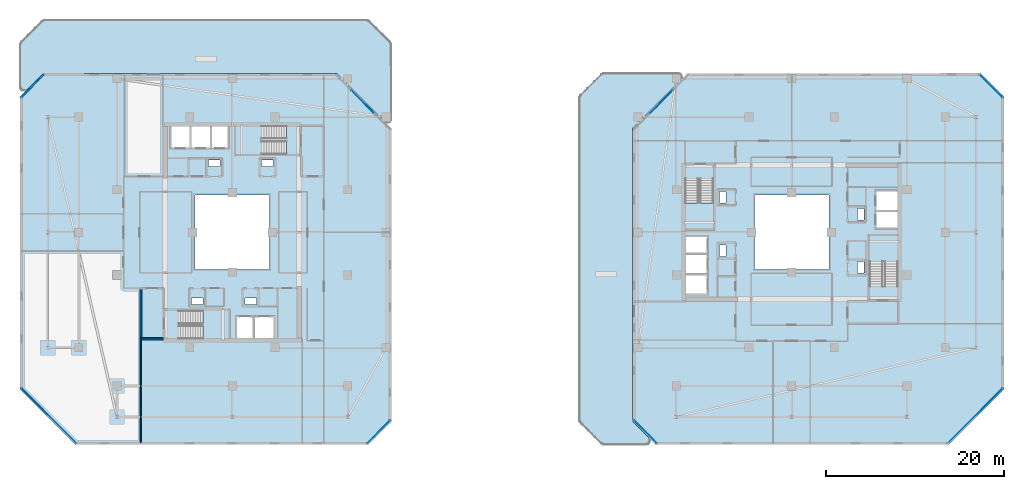
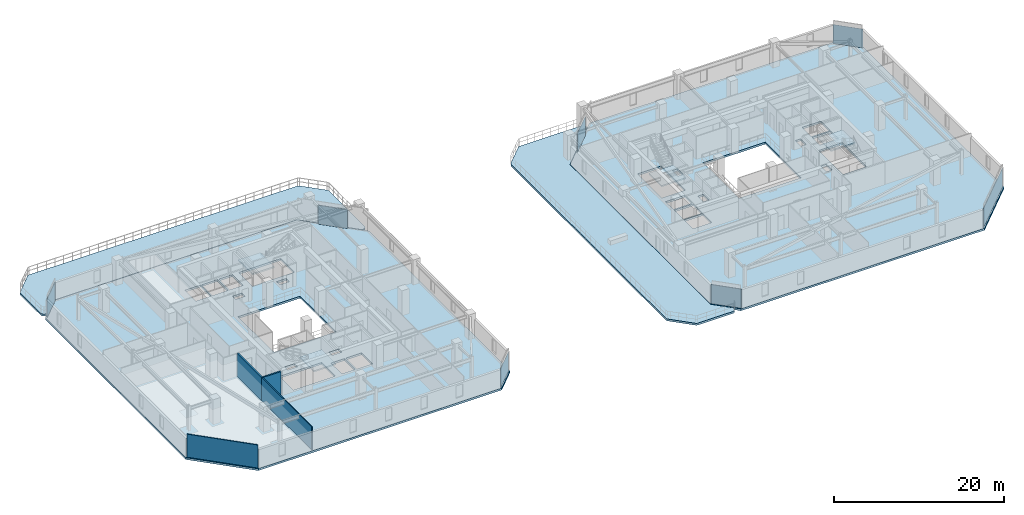
# One storey, part 17 of 29: 8 plates, 8 slabs, 4 walls, 12 elements without a shape of their own.
"""IFC4 building model written with IfcOpenShell, lengths in metres."""

from ifc_helpers import new_model, si_unit, direction, frame, frame_2d, origin, origin_2d, place, context, subcontext, project, spatial, polyline, rectangle, outline, extrude, material, layer, layer_set, type_object, element, aggregate, save


model = new_model("IFC4")

# Units and contexts
model_context = context("Model", 3, precision=1e-05, world=origin(), true_north=direction((0.0, 1.0)))
body_context = subcontext(model_context, "Body", "Model", "MODEL_VIEW")
ifc_project = project(units=[si_unit("LENGTHUNIT", "METRE"), si_unit("AREAUNIT", "SQUARE_METRE"), si_unit("VOLUMEUNIT", "CUBIC_METRE"), si_unit("PLANEANGLEUNIT", "RADIAN"), si_unit("MASSUNIT", "GRAM", prefix="KILO")], contexts=[model_context])

# Site, building, storey
site_placement = place(None, origin())
site = spatial("IfcSite", under=ifc_project, at=site_placement, CompositionType="ELEMENT")
building_placement = place(site_placement, origin())
building = spatial("IfcBuilding", under=site, at=building_placement, Name="Thornwick Lancets Civic Towers", CompositionType="ELEMENT")
storey_placement = place(building_placement, frame((0.0, 0.0, 229.5)))
storey = spatial("IfcBuildingStorey", under=building, at=storey_placement, Name="L61", CompositionType="ELEMENT", Elevation=229.5)

# Curtain wall, plate
ifc_material_1 = material(Name="High-zone chamfered-corner unitised glass curtain wall", Category="glass")
curtain_wall_type = type_object("IfcCurtainWallType", Name="CW_SYS_05", PredefinedType="NOTDEFINED", material=ifc_material_1)
curtain_wall_1_placement = place(storey_placement, origin())
curtain_wall_1 = element("IfcCurtainWall", 1, at=curtain_wall_1_placement, inside=storey, type_object=curtain_wall_type, Name="L61 Curtain Wall CW-L61-A-E1", PredefinedType="NOTDEFINED")
ifc_material_2 = material(Name="Low-e double glazing clear glass", Category="glass")
ifc_layer_1 = layer(ifc_material_2, 0.035888671875, Name="Low-e double glazing clear glass")
ifc_layer_set_1 = layer_set([ifc_layer_1], Name="Low-e double glazing clear glass")
plate_type = type_object("IfcPlateType", Name="CW_PNL_GLASS", PredefinedType="CURTAIN_PANEL", material=ifc_layer_set_1)
plate_1_placement = place(storey_placement, frame((41.972900390625, 4.527099609375, 0.0), z_axis=(0.0, 0.0, 1.0), x_axis=(0.707106781187, 0.707106781187, 0.0)))
plate_1 = element("IfcPlate", 2, at=plate_1_placement, type_object=plate_type, Name="CW-L61-A-E1 Panel 0", PredefinedType="CURTAIN_PANEL", context=body_context, shape_type="SweptSolid", body=[
    extrude(rectangle(XDim=3.649169921875, YDim=0.035888671875, at=origin_2d()), origin(), (0.0, 0.0, 1.0), 2.699951171875),
])
aggregate(curtain_wall_1, [plate_1])

curtain_wall_2_placement = place(storey_placement, origin())
curtain_wall_2 = element("IfcCurtainWall", 3, at=curtain_wall_2_placement, inside=storey, type_object=curtain_wall_type, Name="L61 Curtain Wall CW-L61-A-E3", PredefinedType="NOTDEFINED")
plate_2_placement = place(storey_placement, frame((40.174560546875, 41.674560546875, 0.0), z_axis=(0.0, 0.0, 1.0), x_axis=(-0.707106781187, 0.707106781187, 0.0)))
plate_2 = element("IfcPlate", 4, at=plate_2_placement, type_object=plate_type, Name="CW-L61-A-E3 Panel 0", PredefinedType="CURTAIN_PANEL", context=body_context, shape_type="SweptSolid", body=[
    extrude(rectangle(XDim=3.5771484375, YDim=0.035888671875, at=origin_2d()), origin(), (0.0, 0.0, 1.0), 2.699951171875),
])
aggregate(curtain_wall_2, [plate_2])

curtain_wall_3_placement = place(storey_placement, origin())
curtain_wall_3 = element("IfcCurtainWall", 5, at=curtain_wall_3_placement, inside=storey, type_object=curtain_wall_type, Name="L61 Curtain Wall CW-L61-A-E5", PredefinedType="NOTDEFINED")
plate_3_placement = place(storey_placement, frame((3.027099609375, 43.472900390625, 0.0), z_axis=(0.0, 0.0, 1.0), x_axis=(-0.707106781187, -0.707106781187, 0.0)))
plate_3 = element("IfcPlate", 6, at=plate_3_placement, type_object=plate_type, Name="CW-L61-A-E5 Panel 0", PredefinedType="CURTAIN_PANEL", context=body_context, shape_type="SweptSolid", body=[
    extrude(rectangle(XDim=3.649169921875, YDim=0.035888671875, at=origin_2d()), origin(), (0.0, 0.0, 1.0), 2.699951171875),
])
aggregate(curtain_wall_3, [plate_3])

curtain_wall_4_placement = place(storey_placement, origin())
curtain_wall_4 = element("IfcCurtainWall", 7, at=curtain_wall_4_placement, inside=storey, type_object=curtain_wall_type, Name="L61 Curtain Wall CW-L61-A-E7", PredefinedType="NOTDEFINED")
plate_4_placement = place(storey_placement, frame((4.825439453125, 6.325439453125, 0.0), z_axis=(0.0, 0.0, 1.0), x_axis=(0.707106781187, -0.707106781187, 0.0)))
plate_4 = element("IfcPlate", 8, at=plate_4_placement, type_object=plate_type, Name="CW-L61-A-E7 Panel 0", PredefinedType="CURTAIN_PANEL", context=body_context, shape_type="SweptSolid", body=[
    extrude(rectangle(XDim=8.702392578125, YDim=0.035888671875, at=origin_2d()), origin(), (0.0, 0.0, 1.0), 2.699951171875),
])
aggregate(curtain_wall_4, [plate_4])

curtain_wall_5_placement = place(storey_placement, origin())
curtain_wall_5 = element("IfcCurtainWall", 9, at=curtain_wall_5_placement, inside=storey, type_object=curtain_wall_type, Name="L61 Curtain Wall CW-L61-B-E1", PredefinedType="NOTDEFINED")
plate_5_placement = place(storey_placement, frame((109.174560546875, 6.325439453125, 0.0), z_axis=(0.0, 0.0, 1.0), x_axis=(0.707106781187, 0.707106781187, 0.0)))
plate_5 = element("IfcPlate", 10, at=plate_5_placement, type_object=plate_type, Name="CW-L61-B-E1 Panel 0", PredefinedType="CURTAIN_PANEL", context=body_context, shape_type="SweptSolid", body=[
    extrude(rectangle(XDim=8.702392578125, YDim=0.035888671875, at=origin_2d()), origin(), (0.0, 0.0, 1.0), 2.699951171875),
])
aggregate(curtain_wall_5, [plate_5])

curtain_wall_6_placement = place(storey_placement, origin())
curtain_wall_6 = element("IfcCurtainWall", 11, at=curtain_wall_6_placement, inside=storey, type_object=curtain_wall_type, Name="L61 Curtain Wall CW-L61-B-E3", PredefinedType="NOTDEFINED")
plate_6_placement = place(storey_placement, frame((110.972900390625, 43.472900390625, 0.0), z_axis=(0.0, 0.0, 1.0), x_axis=(-0.707106781187, 0.707106781187, 0.0)))
plate_6 = element("IfcPlate", 12, at=plate_6_placement, type_object=plate_type, Name="CW-L61-B-E3 Panel 0", PredefinedType="CURTAIN_PANEL", context=body_context, shape_type="SweptSolid", body=[
    extrude(rectangle(XDim=3.649169921875, YDim=0.035888671875, at=origin_2d()), origin(), (0.0, 0.0, 1.0), 2.699951171875),
])
aggregate(curtain_wall_6, [plate_6])

curtain_wall_7_placement = place(storey_placement, origin())
curtain_wall_7 = element("IfcCurtainWall", 13, at=curtain_wall_7_placement, inside=storey, type_object=curtain_wall_type, Name="L61 Curtain Wall CW-L61-B-E5", PredefinedType="NOTDEFINED")
plate_7_placement = place(storey_placement, frame((73.825439453125, 41.674560546875, 0.0), z_axis=(0.0, 0.0, 1.0), x_axis=(-0.707106781187, -0.707106781187, 0.0)))
plate_7 = element("IfcPlate", 14, at=plate_7_placement, type_object=plate_type, Name="CW-L61-B-E5 Panel 0", PredefinedType="CURTAIN_PANEL", context=body_context, shape_type="SweptSolid", body=[
    extrude(rectangle(XDim=3.5771484375, YDim=0.035888671875, at=origin_2d()), origin(), (0.0, 0.0, 1.0), 2.699951171875),
])
aggregate(curtain_wall_7, [plate_7])

curtain_wall_8_placement = place(storey_placement, origin())
curtain_wall_8 = element("IfcCurtainWall", 15, at=curtain_wall_8_placement, inside=storey, type_object=curtain_wall_type, Name="L61 Curtain Wall CW-L61-B-E7", PredefinedType="NOTDEFINED")
plate_8_placement = place(storey_placement, frame((72.027099609375, 4.527099609375, 0.0), z_axis=(0.0, 0.0, 1.0), x_axis=(0.707106781187, -0.707106781187, 0.0)))
plate_8 = element("IfcPlate", 16, at=plate_8_placement, type_object=plate_type, Name="CW-L61-B-E7 Panel 0", PredefinedType="CURTAIN_PANEL", context=body_context, shape_type="SweptSolid", body=[
    extrude(rectangle(XDim=3.649169921875, YDim=0.035888671875, at=origin_2d()), origin(), (0.0, 0.0, 1.0), 2.699951171875),
])
aggregate(curtain_wall_8, [plate_8])

# Stair, slab
ifc_material_3 = material(Name="Concrete C40/50", Category="concrete")
stair_type = type_object("IfcStairType", Name="STAIR_DL_3600", PredefinedType="HALF_TURN_STAIR", material=ifc_material_3)
stair_1_placement = place(storey_placement, origin())
stair_1 = element("IfcStair", 17, at=stair_1_placement, inside=storey, type_object=stair_type, Name="L61 Tower A South Exit Stair ST-A1", PredefinedType="HALF_TURN_STAIR")
ifc_layer_2 = layer(ifc_material_3, 0.25, Name="Concrete C40/50")
ifc_layer_set_2 = layer_set([ifc_layer_2], Name="Concrete C40/50")
slab_type_1 = type_object("IfcSlabType", Name="SLAB_LANDING_200", PredefinedType="LANDING", material=ifc_layer_set_2)
slab_1_placement = place(storey_placement, frame((0.0, 0.0, 1.60302734375)))
slab_1 = element("IfcSlab", 18, at=slab_1_placement, type_object=slab_type_1, Name="ST-A1 landing 1", PredefinedType="LANDING", context=body_context, shape_type="SweptSolid", body=[
    extrude(outline(polyline([(22.169921875, 14.93994140625), (25.14990234375, 14.93994140625), (25.14990234375, 18.260009765625), (22.169921875, 18.260009765625), (22.169921875, 14.93994140625)])), origin(), (0.0, 0.0, 1.0), 0.199951171875),
])
aggregate(stair_1, [slab_1])

stair_2_placement = place(storey_placement, origin())
stair_2 = element("IfcStair", 19, at=stair_2_placement, inside=storey, type_object=stair_type, Name="L61 Tower A North Exit Stair ST-A2", PredefinedType="HALF_TURN_STAIR")
slab_2_placement = place(storey_placement, frame((0.0, 0.0, 1.60302734375)))
slab_2 = element("IfcSlab", 20, at=slab_2_placement, type_object=slab_type_1, Name="ST-A2 landing 1", PredefinedType="LANDING", context=body_context, shape_type="SweptSolid", body=[
    extrude(outline(polyline([(28.830078125, 39.06005859375), (25.85009765625, 39.06005859375), (25.85009765625, 35.739990234375), (28.830078125, 35.739990234375), (28.830078125, 39.06005859375)])), origin(), (0.0, 0.0, 1.0), 0.199951171875),
])
aggregate(stair_2, [slab_2])

stair_3_placement = place(storey_placement, origin())
stair_3 = element("IfcStair", 21, at=stair_3_placement, inside=storey, type_object=stair_type, Name="L61 Tower B East Exit Stair ST-B1", PredefinedType="HALF_TURN_STAIR")
slab_3_placement = place(storey_placement, frame((0.0, 0.0, 1.60302734375)))
slab_3 = element("IfcSlab", 22, at=slab_3_placement, type_object=slab_type_1, Name="ST-B1 landing 1", PredefinedType="LANDING", context=body_context, shape_type="SweptSolid", body=[
    extrude(outline(polyline([(100.56005859375, 23.669921875), (100.56005859375, 26.64990234375), (97.239990234375, 26.64990234375), (97.239990234375, 23.669921875), (100.56005859375, 23.669921875)])), origin(), (0.0, 0.0, 1.0), 0.199951171875),
])
aggregate(stair_3, [slab_3])

stair_4_placement = place(storey_placement, origin())
stair_4 = element("IfcStair", 23, at=stair_4_placement, inside=storey, type_object=stair_type, Name="L61 Tower B West Exit Stair ST-B2", PredefinedType="HALF_TURN_STAIR")
slab_4_placement = place(storey_placement, frame((0.0, 0.0, 1.60302734375)))
slab_4 = element("IfcSlab", 24, at=slab_4_placement, type_object=slab_type_1, Name="ST-B2 landing 1", PredefinedType="LANDING", context=body_context, shape_type="SweptSolid", body=[
    extrude(outline(polyline([(76.43994140625, 30.330078125), (76.43994140625, 27.35009765625), (79.760009765625, 27.35009765625), (79.760009765625, 30.330078125), (76.43994140625, 30.330078125)])), origin(), (0.0, 0.0, 1.0), 0.199951171875),
])
aggregate(stair_4, [slab_4])

# Slabs
ifc_material_4 = material(Name="Post-tensioned concrete C40/50", Category="concrete")
ifc_layer_3 = layer(ifc_material_4, 0.280029296875, Name="Post-tensioned concrete C40/50")
ifc_layer_set_3 = layer_set([ifc_layer_3], Name="Post-tensioned concrete C40/50")
slab_type_2 = type_object("IfcSlabType", Name="SLAB_PT_280", PredefinedType="FLOOR", material=ifc_layer_set_3)
slab_5_placement = place(storey_placement, frame((0.0, 0.0, -0.280029296875)))
element("IfcSlab", 25, at=slab_5_placement, inside=storey, type_object=slab_type_2, Name="L61 Tower A Floor Slab", PredefinedType="FLOOR", context=body_context, shape_type="SweptSolid", body=[
    extrude(outline(polyline([(7.800048828125, 3.10009765625), (40.800048828125, 3.10009765625), (43.39990234375, 5.699951171875), (43.39990234375, 38.699951171875), (37.199951171875, 44.89990234375), (4.199951171875, 44.89990234375), (1.60009765625, 42.300048828125), (1.60009765625, 9.300048828125), (7.800048828125, 3.10009765625)]), holes=[polyline([(21.300048828125, 22.800048828125), (29.699951171875, 22.800048828125), (29.699951171875, 31.199951171875), (21.300048828125, 31.199951171875), (21.300048828125, 22.800048828125)]), polyline([(19.429931640625, 15.0), (25.10009765625, 15.0), (25.10009765625, 18.199951171875), (19.429931640625, 18.199951171875), (19.429931640625, 15.0)]), polyline([(31.570068359375, 39.0), (25.89990234375, 39.0), (25.89990234375, 35.800048828125), (31.570068359375, 35.800048828125), (31.570068359375, 39.0)]), polyline([(26.0, 15.0), (27.800048828125, 15.0), (27.800048828125, 17.550048828125), (26.0, 17.550048828125), (26.0, 15.0)]), polyline([(28.0, 15.0), (30.14990234375, 15.0), (30.14990234375, 17.550048828125), (28.0, 17.550048828125), (28.0, 15.0)]), polyline([(23.199951171875, 36.449951171875), (25.0, 36.449951171875), (25.0, 39.0), (23.199951171875, 39.0), (23.199951171875, 36.449951171875)]), polyline([(20.85009765625, 36.449951171875), (23.0, 36.449951171875), (23.0, 39.0), (20.85009765625, 39.0), (20.85009765625, 36.449951171875)]), polyline([(18.60009765625, 36.449951171875), (20.699951171875, 36.449951171875), (20.699951171875, 39.0), (18.60009765625, 39.0), (18.60009765625, 36.449951171875)]), polyline([(26.89990234375, 18.85009765625), (28.199951171875, 18.85009765625), (28.199951171875, 19.580078125), (26.89990234375, 19.580078125), (26.89990234375, 18.85009765625)]), polyline([(20.89990234375, 18.85009765625), (22.199951171875, 18.85009765625), (22.199951171875, 19.580078125), (20.89990234375, 19.580078125), (20.89990234375, 18.85009765625)]), polyline([(22.800048828125, 34.419921875), (24.10009765625, 34.419921875), (24.10009765625, 35.14990234375), (22.800048828125, 35.14990234375), (22.800048828125, 34.419921875)]), polyline([(28.800048828125, 34.419921875), (30.10009765625, 34.419921875), (30.10009765625, 35.14990234375), (28.800048828125, 35.14990234375), (28.800048828125, 34.419921875)])]), origin(), (0.0, 0.0, 1.0), 0.280029296875),
])
slab_6_placement = place(storey_placement, frame((0.0, 0.0, -0.280029296875)))
element("IfcSlab", 26, at=slab_6_placement, inside=storey, type_object=slab_type_2, Name="L61 Tower A Cantilevered Block Sky-Garden Terrace 1", PredefinedType="FLOOR", context=body_context, shape_type="SweptSolid", body=[
    extrude(outline(polyline([(1.602294921875, 48.15771484375), (1.608642578125, 48.201416015625), (1.619384765625, 48.244140625), (1.63427734375, 48.285888671875), (1.653076171875, 48.32568359375), (1.67578125, 48.363525390625), (1.7021484375, 48.399169921875), (1.731689453125, 48.431884765625), (4.068115234375, 50.768310546875), (4.100830078125, 50.7978515625), (4.136474609375, 50.82421875), (4.17431640625, 50.846923828125), (4.214111328125, 50.86572265625), (4.255859375, 50.880615234375), (4.298583984375, 50.891357421875), (4.34228515625, 50.897705078125), (4.386474609375, 50.89990234375), (40.613525390625, 50.89990234375), (40.65771484375, 50.897705078125), (40.701416015625, 50.891357421875), (40.744140625, 50.880615234375), (40.785888671875, 50.86572265625), (40.82568359375, 50.846923828125), (40.863525390625, 50.82421875), (40.899169921875, 50.7978515625), (40.931884765625, 50.768310546875), (43.268310546875, 48.431884765625), (43.2978515625, 48.399169921875), (43.32421875, 48.363525390625), (43.346923828125, 48.32568359375), (43.36572265625, 48.285888671875), (43.380615234375, 48.244140625), (43.391357421875, 48.201416015625), (43.397705078125, 48.15771484375), (43.39990234375, 48.113525390625), (43.39990234375, 39.814697265625), (43.397705078125, 39.7705078125), (43.391357421875, 39.726806640625), (43.380615234375, 39.68408203125), (43.36572265625, 39.642578125), (43.346923828125, 39.6025390625), (43.32421875, 39.564697265625), (43.2978515625, 39.529296875), (43.268310546875, 39.49658203125), (43.235595703125, 39.466796875), (43.199951171875, 39.4404296875), (43.162109375, 39.417724609375), (43.122314453125, 39.39892578125), (43.08056640625, 39.384033203125), (43.037841796875, 39.373291015625), (42.994140625, 39.36669921875), (42.949951171875, 39.36474609375), (42.906005859375, 39.36669921875), (42.8623046875, 39.373291015625), (42.8193359375, 39.384033203125), (42.77783203125, 39.39892578125), (42.73779296875, 39.417724609375), (42.699951171875, 39.4404296875), (42.66455078125, 39.466796875), (42.6318359375, 39.49658203125), (37.218017578125, 44.91015625), (37.214111328125, 44.9140625), (37.212646484375, 44.91552734375), (37.211181640625, 44.91650390625), (37.20947265625, 44.91748046875), (37.207763671875, 44.91845703125), (37.205810546875, 44.919189453125), (37.203857421875, 44.919677734375), (37.201904296875, 44.919921875), (37.199951171875, 44.919921875), (37.194091796875, 44.919921875), (4.20556640625, 44.919921875), (4.199951171875, 44.919921875), (4.197998046875, 44.919921875), (4.196044921875, 44.919677734375), (4.194091796875, 44.919189453125), (4.1923828125, 44.91845703125), (4.190673828125, 44.91748046875), (4.18896484375, 44.91650390625), (4.187255859375, 44.91552734375), (4.185791015625, 44.9140625), (4.181640625, 44.909912109375), (2.3681640625, 43.096435546875), (2.33544921875, 43.06689453125), (2.300048828125, 43.04052734375), (2.26220703125, 43.017822265625), (2.22216796875, 42.998779296875), (2.1806640625, 42.984130859375), (2.1376953125, 42.973388671875), (2.093994140625, 42.966796875), (2.050048828125, 42.964599609375), (2.005859375, 42.966796875), (1.962158203125, 42.973388671875), (1.91943359375, 42.984130859375), (1.877685546875, 42.998779296875), (1.837890625, 43.017822265625), (1.800048828125, 43.04052734375), (1.764404296875, 43.06689453125), (1.731689453125, 43.096435546875), (1.7021484375, 43.129150390625), (1.67578125, 43.164794921875), (1.653076171875, 43.20263671875), (1.63427734375, 43.242431640625), (1.619384765625, 43.2841796875), (1.608642578125, 43.326904296875), (1.602294921875, 43.37060546875), (1.60009765625, 43.414794921875), (1.60009765625, 48.113525390625), (1.602294921875, 48.15771484375)])), origin(), (0.0, 0.0, 1.0), 0.280029296875),
])
slab_7_placement = place(storey_placement, frame((0.0, 0.0, -0.280029296875)))
element("IfcSlab", 27, at=slab_7_placement, inside=storey, type_object=slab_type_2, Name="L61 Tower B Floor Slab", PredefinedType="FLOOR", context=body_context, shape_type="SweptSolid", body=[
    extrude(outline(polyline([(73.199951171875, 3.10009765625), (106.199951171875, 3.10009765625), (112.39990234375, 9.300048828125), (112.39990234375, 42.300048828125), (109.800048828125, 44.89990234375), (76.800048828125, 44.89990234375), (70.60009765625, 38.699951171875), (70.60009765625, 5.699951171875), (73.199951171875, 3.10009765625)]), holes=[polyline([(84.300048828125, 22.800048828125), (92.699951171875, 22.800048828125), (92.699951171875, 31.199951171875), (84.300048828125, 31.199951171875), (84.300048828125, 22.800048828125)]), polyline([(100.5, 20.929931640625), (100.5, 26.60009765625), (97.300048828125, 26.60009765625), (97.300048828125, 20.929931640625), (100.5, 20.929931640625)]), polyline([(76.5, 33.070068359375), (76.5, 27.39990234375), (79.699951171875, 27.39990234375), (79.699951171875, 33.070068359375), (76.5, 33.070068359375)]), polyline([(97.949951171875, 27.5), (100.5, 27.5), (100.5, 29.300048828125), (97.949951171875, 29.300048828125), (97.949951171875, 27.5)]), polyline([(97.949951171875, 29.5), (100.5, 29.5), (100.5, 31.64990234375), (97.949951171875, 31.64990234375), (97.949951171875, 29.5)]), polyline([(76.5, 24.699951171875), (79.050048828125, 24.699951171875), (79.050048828125, 26.5), (76.5, 26.5), (76.5, 24.699951171875)]), polyline([(76.5, 22.35009765625), (79.050048828125, 22.35009765625), (79.050048828125, 24.5), (76.5, 24.5), (76.5, 22.35009765625)]), polyline([(76.5, 20.10009765625), (79.050048828125, 20.10009765625), (79.050048828125, 22.199951171875), (76.5, 22.199951171875), (76.5, 20.10009765625)]), polyline([(95.919921875, 28.39990234375), (96.64990234375, 28.39990234375), (96.64990234375, 29.699951171875), (95.919921875, 29.699951171875), (95.919921875, 28.39990234375)]), polyline([(95.919921875, 22.39990234375), (96.64990234375, 22.39990234375), (96.64990234375, 23.699951171875), (95.919921875, 23.699951171875), (95.919921875, 22.39990234375)]), polyline([(80.35009765625, 24.300048828125), (81.080078125, 24.300048828125), (81.080078125, 25.60009765625), (80.35009765625, 25.60009765625), (80.35009765625, 24.300048828125)]), polyline([(80.35009765625, 30.300048828125), (81.080078125, 30.300048828125), (81.080078125, 31.60009765625), (80.35009765625, 31.60009765625), (80.35009765625, 30.300048828125)])]), origin(), (0.0, 0.0, 1.0), 0.280029296875),
])
slab_8_placement = place(storey_placement, frame((0.0, 0.0, -0.280029296875)))
element("IfcSlab", 28, at=slab_8_placement, inside=storey, type_object=slab_type_2, Name="L61 Tower B Cantilevered Block Sky-Garden Terrace 1", PredefinedType="FLOOR", context=body_context, shape_type="SweptSolid", body=[
    extrude(outline(polyline([(67.34228515625, 3.102294921875), (67.298583984375, 3.108642578125), (67.255859375, 3.119384765625), (67.214111328125, 3.13427734375), (67.17431640625, 3.153076171875), (67.136474609375, 3.17578125), (67.100830078125, 3.2021484375), (67.068115234375, 3.231689453125), (64.906005859375, 5.39404296875), (64.731689453125, 5.568115234375), (64.7021484375, 5.600830078125), (64.67578125, 5.636474609375), (64.653076171875, 5.67431640625), (64.63427734375, 5.714111328125), (64.619384765625, 5.755859375), (64.608642578125, 5.798583984375), (64.602294921875, 5.84228515625), (64.60009765625, 5.886474609375), (64.60009765625, 42.113525390625), (64.602294921875, 42.15771484375), (64.608642578125, 42.201416015625), (64.619384765625, 42.244140625), (64.63427734375, 42.285888671875), (64.653076171875, 42.32568359375), (64.67578125, 42.363525390625), (64.7021484375, 42.399169921875), (64.731689453125, 42.431884765625), (67.068115234375, 44.768310546875), (67.100830078125, 44.7978515625), (67.136474609375, 44.82421875), (67.17431640625, 44.846923828125), (67.214111328125, 44.86572265625), (67.255859375, 44.880615234375), (67.298583984375, 44.891357421875), (67.34228515625, 44.897705078125), (67.386474609375, 44.89990234375), (75.685302734375, 44.89990234375), (75.7294921875, 44.897705078125), (75.773193359375, 44.891357421875), (75.81591796875, 44.880615234375), (75.857421875, 44.86572265625), (75.8974609375, 44.846923828125), (75.935302734375, 44.82421875), (75.970703125, 44.7978515625), (76.00341796875, 44.768310546875), (76.033203125, 44.735595703125), (76.0595703125, 44.699951171875), (76.082275390625, 44.662109375), (76.10107421875, 44.622314453125), (76.115966796875, 44.58056640625), (76.126708984375, 44.537841796875), (76.13330078125, 44.494140625), (76.13525390625, 44.449951171875), (76.13330078125, 44.406005859375), (76.126708984375, 44.3623046875), (76.115966796875, 44.3193359375), (76.10107421875, 44.27783203125), (76.082275390625, 44.23779296875), (76.0595703125, 44.199951171875), (76.033203125, 44.16455078125), (76.00341796875, 44.1318359375), (70.58984375, 38.718017578125), (70.5859375, 38.714111328125), (70.58447265625, 38.712646484375), (70.58349609375, 38.711181640625), (70.58251953125, 38.70947265625), (70.58154296875, 38.707763671875), (70.580810546875, 38.705810546875), (70.580322265625, 38.703857421875), (70.580078125, 38.701904296875), (70.580078125, 38.699951171875), (70.580078125, 38.694091796875), (70.580078125, 5.70556640625), (70.580078125, 5.699951171875), (70.580078125, 5.697998046875), (70.580322265625, 5.696044921875), (70.580810546875, 5.694091796875), (70.58154296875, 5.6923828125), (70.58251953125, 5.690673828125), (70.58349609375, 5.68896484375), (70.58447265625, 5.687255859375), (70.5859375, 5.685791015625), (70.590087890625, 5.681640625), (70.590087890625, 5.681640625), (71.267578125, 5.004150390625), (72.403564453125, 3.8681640625), (72.43310546875, 3.83544921875), (72.45947265625, 3.800048828125), (72.482177734375, 3.76220703125), (72.501220703125, 3.72216796875), (72.515869140625, 3.6806640625), (72.526611328125, 3.6376953125), (72.533203125, 3.593994140625), (72.535400390625, 3.550048828125), (72.533203125, 3.505859375), (72.526611328125, 3.462158203125), (72.515869140625, 3.41943359375), (72.501220703125, 3.377685546875), (72.482177734375, 3.337890625), (72.45947265625, 3.300048828125), (72.43310546875, 3.264404296875), (72.403564453125, 3.231689453125), (72.370849609375, 3.2021484375), (72.335205078125, 3.17578125), (72.29736328125, 3.153076171875), (72.257568359375, 3.13427734375), (72.2158203125, 3.119384765625), (72.173095703125, 3.108642578125), (72.12939453125, 3.102294921875), (72.085205078125, 3.10009765625), (67.386474609375, 3.10009765625), (67.34228515625, 3.102294921875)])), origin(), (0.0, 0.0, 1.0), 0.280029296875),
])

# Walls
ifc_material_5 = material(Name="Concrete blockwork C40/50", Category="masonry")
ifc_layer_4 = layer(ifc_material_5, 0.199951171875, Name="Concrete blockwork C40/50")
ifc_layer_set_4 = layer_set([ifc_layer_4], Name="Concrete blockwork C40/50")
wall_type_1 = type_object("IfcWallType", Name="WALL_COMP_200", PredefinedType="STANDARD", material=ifc_layer_set_4)
wall_1_placement = place(storey_placement, frame((15.199951171875, 15.0, 0.0), z_axis=(0.0, 0.0, 1.0), x_axis=(1.0, 0.0, 0.0)))
element("IfcWall", 29, at=wall_1_placement, inside=storey, type_object=wall_type_1, Name="L61 Partition L61-A-FFLOB1 E1", PredefinedType="STANDARD", context=body_context, shape_type="SweptSolid", body=[
    extrude(rectangle(XDim=2.5, YDim=0.199951171875, at=frame_2d((1.25, 0.0))), origin(), (0.0, 0.0, 1.0), 3.300048828125),
])
wall_2_placement = place(storey_placement, frame((15.199951171875, 20.699951171875, 0.0), z_axis=(0.0, 0.0, 1.0), x_axis=(0.0, -1.0, 0.0)))
element("IfcWall", 30, at=wall_2_placement, inside=storey, type_object=wall_type_1, Name="L61 Partition L61-A-FFLOB1 E4", PredefinedType="STANDARD", context=body_context, shape_type="SweptSolid", body=[
    extrude(rectangle(XDim=5.699951171875, YDim=0.199951171875, at=frame_2d((2.85009765625, 0.0))), origin(), (0.0, 0.0, 1.0), 3.300048828125),
])
ifc_material_6 = material(Name="Acoustic gypsum board partition")
ifc_layer_5 = layer(ifc_material_6, 0.1201171875, Name="Acoustic gypsum board partition")
ifc_layer_set_5 = layer_set([ifc_layer_5], Name="Acoustic gypsum board partition")
wall_type_2 = type_object("IfcWallType", Name="WALL_PART_120", PredefinedType="PARTITIONING", material=ifc_layer_set_5)
wall_3_placement = place(storey_placement, frame((15.199951171875, 15.0, 0.0), z_axis=(0.0, 0.0, 1.0), x_axis=(0.0, -1.0, 0.0)))
element("IfcWall", 31, at=wall_3_placement, inside=storey, type_object=wall_type_2, Name="L61 Partition L61-A-W1 E4", PredefinedType="PARTITIONING", context=body_context, shape_type="SweptSolid", body=[
    extrude(rectangle(XDim=11.719970703125, YDim=0.1201171875, at=frame_2d((5.85986328125, 0.0))), origin(), (0.0, 0.0, 1.0), 3.300048828125),
])
wall_4_placement = place(storey_placement, frame((7.87451171875, 3.280029296875, 0.0), z_axis=(0.0, 0.0, 1.0), x_axis=(-0.707106781187, 0.707106781187, 0.0)))
element("IfcWall", 32, at=wall_4_placement, inside=storey, type_object=wall_type_2, Name="L61 Partition L61-A-W1 E6", PredefinedType="PARTITIONING", context=body_context, shape_type="SweptSolid", body=[
    extrude(rectangle(XDim=8.618896484375, YDim=0.1201171875, at=frame_2d((4.3095703125, 0.0))), origin(), (0.0, 0.0, 1.0), 3.300048828125),
])

save(model, "model.ifc")
